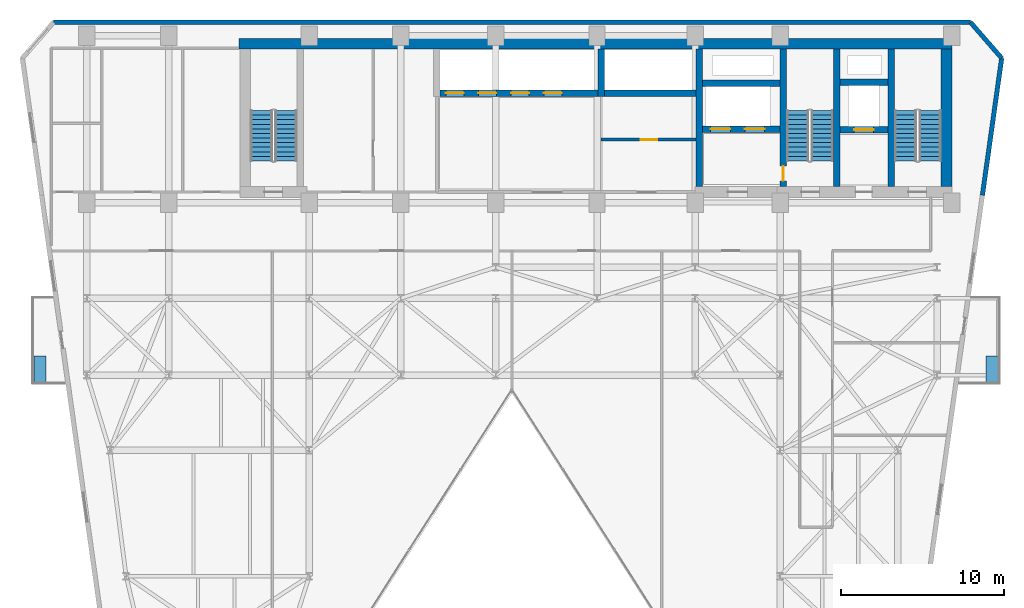
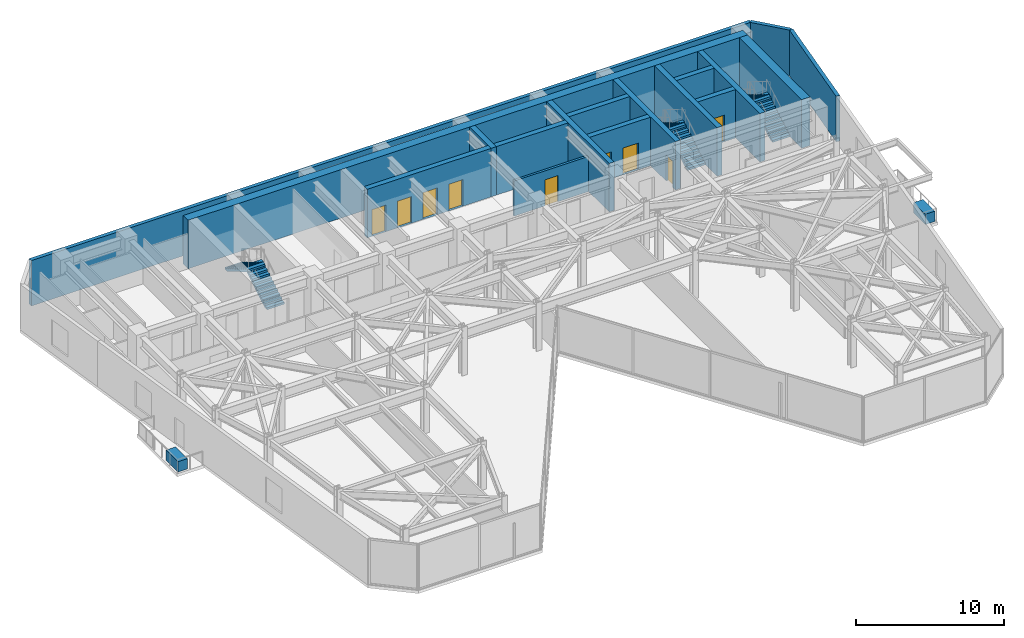
# One storey, part 17 of 20: 17 walls, 9 doors, 6 stair flights, 2 discrete accessories, 9 openings, 3 elements without a shape of their own.
"""IFC4 building model written with IfcOpenShell, lengths in metres."""

import ifcopenshell
import ifcopenshell.guid

model = None  # the IFC model being written
_history = None  # IfcOwnerHistory: only IFC2X3 demands one
_inside = {}  # id of a spatial element -> (the spatial element, [elements in it])
_under = {}  # id of a project, library or spatial element -> (it, [spatial elements below it])
_declared = {}  # id of a project -> (the project, [libraries it declares])
_typed = {}  # id of a type object -> (the type object, [elements of that type])
_made_of = {}  # id of a material, layer set ... -> (it, [elements and type objects made of it])


def new_model(schema):
    """Start an empty IFC model of exactly this schema.

    Asked for "IFC4X3", IfcOpenShell would pick the latest addendum, in which some entities
    have other attributes; the version numbers below select the first issue.
    IFC2X3 requires an IfcOwnerHistory on every rooted entity: one is made here for all.
    """
    global model, _history
    if schema == "IFC4X3":
        model = ifcopenshell.file(schema_version=(4, 3, 0, 0))
    else:
        model = ifcopenshell.file(schema=schema)
    _inside.clear()
    _under.clear()
    _declared.clear()
    _typed.clear()
    _made_of.clear()
    _history = None
    if model.schema == "IFC2X3":
        org = make("IfcOrganization", Name="unknown")
        user = make(
            "IfcPersonAndOrganization",
            ThePerson=make("IfcPerson", FamilyName="unknown"),
            TheOrganization=org,
        )
        app = make(
            "IfcApplication",
            ApplicationDeveloper=org,
            Version="unknown",
            ApplicationFullName="unknown",
            ApplicationIdentifier="unknown",
        )
        _history = make(
            "IfcOwnerHistory",
            OwningUser=user,
            OwningApplication=app,
            ChangeAction="ADDED",
            CreationDate=0,
        )
    return model


def make(cls, **values):
    """One entity of the class cls with the attributes given. An attribute that is None is left unset."""
    return model.create_entity(
        cls, **{name: value for name, value in values.items() if value is not None}
    )


def rooted(cls, **values):
    """An entity with a GlobalId (a new one), such as an element, a storey or a relation."""
    return make(cls, GlobalId=ifcopenshell.guid.new(), OwnerHistory=_history, **values)


def si_unit(unit_type, name, prefix=None):
    """IfcSIUnit, for example si_unit("LENGTHUNIT", "METRE", prefix="MILLI")."""
    return make("IfcSIUnit", UnitType=unit_type, Prefix=prefix, Name=name)


def assignment(units):
    """IfcUnitAssignment: the units of a project."""
    return None if units is None else make("IfcUnitAssignment", Units=units)


def point(xyz):
    """IfcCartesianPoint."""
    return None if xyz is None else make("IfcCartesianPoint", Coordinates=xyz)


def direction(xyz):
    """IfcDirection."""
    return None if xyz is None else make("IfcDirection", DirectionRatios=xyz)


def frame(location, z_axis=None, x_axis=None):
    """IfcAxis2Placement3D, a coordinate frame: its origin and axes. An axis left out is left unset."""
    return make(
        "IfcAxis2Placement3D",
        Location=point(location),
        Axis=direction(z_axis),
        RefDirection=direction(x_axis),
    )


def frame_2d(location, x_axis=None):
    """IfcAxis2Placement2D, a coordinate frame in the plane: its origin and x axis."""
    return make(
        "IfcAxis2Placement2D", Location=point(location), RefDirection=direction(x_axis)
    )


def origin():
    """The frame at (0, 0, 0) with its axes left unset."""
    return frame((0.0, 0.0, 0.0))


def origin_2d():
    """The frame at (0, 0) in the plane with its x axis left unset."""
    return frame_2d((0.0, 0.0))


def place(relative_to, where):
    """IfcLocalPlacement: puts the frame where relative to a parent placement (None: the world)."""
    return make(
        "IfcLocalPlacement", PlacementRelTo=relative_to, RelativePlacement=where
    )


def context(
    kind, dimensions, precision=None, world=None, true_north=None, identifier=None
):
    """IfcGeometricRepresentationContext, for example the 3D "Model" context."""
    return make(
        "IfcGeometricRepresentationContext",
        ContextIdentifier=identifier,
        ContextType=kind,
        CoordinateSpaceDimension=dimensions,
        Precision=precision,
        WorldCoordinateSystem=world,
        TrueNorth=true_north,
    )


def subcontext(parent, identifier, kind, view, scale=None):
    """IfcGeometricRepresentationSubContext, for example "Body" below "Model"."""
    return make(
        "IfcGeometricRepresentationSubContext",
        ContextIdentifier=identifier,
        ContextType=kind,
        ParentContext=parent,
        TargetScale=scale,
        TargetView=view,
    )


def project(units=None, contexts=None):
    """IfcProject with its units and contexts."""
    return rooted(
        "IfcProject",
        Name="project",
        RepresentationContexts=contexts,
        UnitsInContext=assignment(units),
    )


def spatial(cls, under=None, at=None, **own):
    """A site, building, storey or space (cls), placed at a placement, below another one or the project."""
    s = rooted(cls, ObjectPlacement=at, **own)
    if under is not None:
        _under.setdefault(under.id(), (under, []))[1].append(s)
    return s


def polyline(points):
    """IfcPolyline through the points."""
    return make("IfcPolyline", Points=[point(p) for p in points])


def profile(cls, at=None, kind="AREA", **sizes):
    """A parametric profile (cls). Its sizes go by their IFC names, for example OverallWidth=200.0."""
    return make(cls, ProfileType=kind, Position=at, **sizes)


def rectangle(**sizes):
    """IfcRectangleProfileDef."""
    return profile("IfcRectangleProfileDef", **sizes)


def outline(outer, holes=None, kind="AREA"):
    """IfcArbitraryClosedProfileDef: a profile drawn as a closed curve; with holes, ...WithVoids."""
    if holes is None:
        return make("IfcArbitraryClosedProfileDef", ProfileType=kind, OuterCurve=outer)
    return make(
        "IfcArbitraryProfileDefWithVoids",
        ProfileType=kind,
        OuterCurve=outer,
        InnerCurves=holes,
    )


def extrude(swept, where, along, depth):
    """IfcExtrudedAreaSolid: the profile swept, set in the frame where, extruded along a direction by depth."""
    return make(
        "IfcExtrudedAreaSolid",
        SweptArea=swept,
        Position=where,
        ExtrudedDirection=direction(along),
        Depth=depth,
    )


def shape(context_of_items, identifier, shape_type, items):
    """IfcShapeRepresentation: the items that make up one representation, for example the "Body"."""
    return make(
        "IfcShapeRepresentation",
        ContextOfItems=context_of_items,
        RepresentationIdentifier=identifier,
        RepresentationType=shape_type,
        Items=items,
    )


def material(Name=None, Category=None):
    """IfcMaterial."""
    return make("IfcMaterial", Name=Name, Category=Category)


def layer(
    of_material, thickness, ventilated=None, Name=None, Category=None, Priority=None
):
    """IfcMaterialLayer: one layer of a wall or slab, of a material (None: an air gap)."""
    return make(
        "IfcMaterialLayer",
        Material=of_material,
        LayerThickness=thickness,
        IsVentilated=ventilated,
        Name=Name,
        Category=Category,
        Priority=Priority,
    )


def layer_set(layers, Name=None):
    """IfcMaterialLayerSet."""
    return make("IfcMaterialLayerSet", MaterialLayers=layers, LayerSetName=Name)


def made_of(thing, what):
    """Note that an element or type object is made of a material, layer set ...; save() writes the relation."""
    if what is not None:
        _made_of.setdefault(what.id(), (what, []))[1].append(thing)
    return thing


def type_object(cls, material=None, **own):
    """A type object (cls), such as IfcWallType, which elements share."""
    return made_of(rooted(cls, **own), material)


def element(
    cls,
    number,
    at=None,
    inside=None,
    cuts=None,
    type_object=None,
    material=None,
    context=None,
    identifier="Body",
    shape_type=None,
    held_by="IfcProductDefinitionShape",
    body=None,
    shapes=None,
    **own,
):
    """One element of the class cls, such as IfcWall. Its Tag is "e" and its number.

    at: its placement. inside: the storey or other place that contains it. cuts: it is an
    opening in that element (IfcRelVoidsElement). A single representation is given by context,
    identifier, shape_type and body (its items); several are given by shapes. held_by: the class
    of the entity that holds the representations. save() writes the other relations.
    """
    e = rooted(cls, Tag="e%d" % number, ObjectPlacement=at, **own)
    if body is not None:
        shapes = [shape(context, identifier, shape_type, body)]
    if shapes is not None:
        e.Representation = make(held_by, Representations=shapes)
    if inside is not None:
        _inside.setdefault(inside.id(), (inside, []))[1].append(e)
    if cuts is not None:
        rooted(
            "IfcRelVoidsElement", RelatingBuildingElement=cuts, RelatedOpeningElement=e
        )
    if type_object is not None:
        _typed.setdefault(type_object.id(), (type_object, []))[1].append(e)
    return made_of(e, material)


def fill(opening, filler):
    """IfcRelFillsElement: the door or window that sits in an opening."""
    return rooted(
        "IfcRelFillsElement",
        RelatingOpeningElement=opening,
        RelatedBuildingElement=filler,
    )


def aggregate(whole, parts):
    """IfcRelAggregates: a whole, such as a stair, and the parts it consists of."""
    return rooted("IfcRelAggregates", RelatingObject=whole, RelatedObjects=parts)


def save(model, path):
    """Write the relations noted so far, then the file.

    IfcRelAggregates (storeys below a building ...), IfcRelContainedInSpatialStructure (elements
    in a storey), IfcRelDefinesByType, IfcRelAssociatesMaterial and IfcRelDeclares: one each for
    every whole, place, type object, material and project.
    """
    for whole, parts in _under.values():
        aggregate(whole, parts)
    for where, things in _inside.values():
        rooted(
            "IfcRelContainedInSpatialStructure",
            RelatedElements=things,
            RelatingStructure=where,
        )
    for kind, things in _typed.values():
        rooted("IfcRelDefinesByType", RelatedObjects=things, RelatingType=kind)
    for what, things in _made_of.values():
        rooted("IfcRelAssociatesMaterial", RelatedObjects=things, RelatingMaterial=what)
    for by, libraries in _declared.values():
        rooted("IfcRelDeclares", RelatingContext=by, RelatedDefinitions=libraries)
    model.write(path)


model = new_model("IFC4")

# Units and contexts
model_context = context("Model", 3, precision=1e-05, world=origin(), true_north=direction((0.0, 1.0)))
body_context = subcontext(model_context, "Body", "Model", "MODEL_VIEW")
ifc_project = project(units=[si_unit("LENGTHUNIT", "METRE"), si_unit("AREAUNIT", "SQUARE_METRE"), si_unit("VOLUMEUNIT", "CUBIC_METRE"), si_unit("PLANEANGLEUNIT", "RADIAN"), si_unit("MASSUNIT", "GRAM", prefix="KILO")], contexts=[model_context])

# Site, building, storey
site_placement = place(None, origin())
site = spatial("IfcSite", under=ifc_project, at=site_placement, CompositionType="ELEMENT")
building_placement = place(site_placement, origin())
building = spatial("IfcBuilding", under=site, at=building_placement, Name="Kravanh Interchange Tower", CompositionType="ELEMENT")
storey_placement = place(building_placement, frame((0.0, 0.0, 104.0)))
storey = spatial("IfcBuildingStorey", under=building, at=storey_placement, Name="L24", CompositionType="ELEMENT", Elevation=104.0)

# Walls
ifc_material_1 = material(Name="Concrete C70/85", Category="concrete")
ifc_layer_1 = layer(ifc_material_1, 0.64990234375)
ifc_layer_set_1 = layer_set([ifc_layer_1], Name="Core Shear Wall Concrete C70/85 650mm")
wall_type_1 = type_object("IfcWallType", Name="Core Shear Wall Concrete C70/85 650mm", PredefinedType="SHEAR", material=ifc_layer_set_1)
wall_1_placement = place(storey_placement, frame((22.89990234375, 47.074951171875, 0.0), z_axis=(0.0, 0.0, 1.0), x_axis=(1.0, 0.0, 0.0)))
element("IfcWall", 1, at=wall_1_placement, inside=storey, type_object=wall_type_1, Name="L24 North Core Shear Wall", PredefinedType="SHEAR", context=body_context, shape_type="SweptSolid", body=[
    extrude(rectangle(XDim=43.60009765625, YDim=0.64990234375, at=frame_2d((21.800048828125, 0.0))), origin(), (0.0, 0.0, 1.0), 4.0),
])
wall_2_placement = place(storey_placement, frame((66.175048828125, 38.324951171875, 0.0), z_axis=(0.0, 0.0, 1.0), x_axis=(0.0, 1.0, 0.0)))
element("IfcWall", 2, at=wall_2_placement, inside=storey, type_object=wall_type_1, Name="L24 Stair ST1 East Shear Wall", PredefinedType="SHEAR", context=body_context, shape_type="SweptSolid", body=[
    extrude(rectangle(XDim=8.425048828125, YDim=0.64990234375, at=frame_2d((4.21240234375, 0.0))), origin(), (0.0, 0.0, 1.0), 4.0),
])
ifc_material_2 = material(Name="Concrete C80/95", Category="concrete")
ifc_layer_2 = layer(ifc_material_2, 0.39990234375)
ifc_layer_set_2 = layer_set([ifc_layer_2], Name="Core Shear Wall Concrete C80/95 400mm")
wall_type_2 = type_object("IfcWallType", Name="Core Shear Wall Concrete C80/95 400mm", PredefinedType="SHEAR", material=ifc_layer_set_2)
for number, where, z_axis, x_axis, name in (
    (3, (62.800048828125, 38.324951171875, 0.0), (0.0, 0.0, 1.0), (0.0, 1.0, 0.0), "L24 Stair ST1 West Shear Wall"),
    (4, (59.449951171875, 38.324951171875, 0.0), (0.0, 0.0, 1.0), (0.0, 1.0, 0.0), "L24 Stair ST2 East Shear Wall"),
):
    element("IfcWall", number, at=place(storey_placement, frame(where, z_axis=z_axis, x_axis=x_axis)), inside=storey, type_object=wall_type_2, Name=name, PredefinedType="SHEAR", context=body_context, shape_type="SweptSolid", body=[
        extrude(rectangle(XDim=8.425048828125, YDim=0.39990234375, at=frame_2d((4.21240234375, 0.0))), origin(), (0.0, 0.0, 1.0), 4.0),
    ])

# Wall, opening, door
wall_3_placement = place(storey_placement, frame((56.199951171875, 38.324951171875, 0.0), z_axis=(0.0, 0.0, 1.0), x_axis=(0.0, 1.0, 0.0)))
wall_3 = element("IfcWall", 5, at=wall_3_placement, inside=storey, type_object=wall_type_2, Name="L24 Stair ST2 West Shear Wall", PredefinedType="SHEAR", context=body_context, shape_type="SweptSolid", body=[
    extrude(rectangle(XDim=8.425048828125, YDim=0.39990234375, at=frame_2d((4.21240234375, 0.0))), origin(), (0.0, 0.0, 1.0), 4.0),
])
opening_1_placement = place(wall_3_placement, frame((0.35498046875, 0.0, 0.0)))
opening_1 = element("IfcOpeningElement", 6, at=opening_1_placement, cuts=wall_3, Name="Opening D-STAIR-90", PredefinedType="OPENING", context=body_context, shape_type="SweptSolid", body=[
    extrude(rectangle(XDim=0.89990234375, YDim=2.14990234375, at=frame_2d((0.449951171875, 1.074951171875))), frame((0.0, 0.2099609375, 0.0), z_axis=(0.0, -1.0, 0.0), x_axis=(1.0, 0.0, 0.0)), (0.0, 0.0, 1.0), 0.419921875),
])
ifc_material_3 = material(Name="Structural Steel S355", Category="steel")
door_type_1 = type_object("IfcDoorType", Name="Fire-Rated Stair Lobby Door 900x2150", OperationType="NOTDEFINED", PredefinedType="DOOR", material=ifc_material_3)
door_1_placement = place(opening_1_placement, origin())
door_1 = element("IfcDoor", 7, at=door_1_placement, inside=storey, type_object=door_type_1, Name="L24 Firefighting Lobby to Stair ST2 Door", OperationType="SINGLE_SWING_LEFT", OverallHeight=2.14990234375, OverallWidth=0.89990234375, PredefinedType="DOOR", context=body_context, shape_type="SweptSolid", body=[
    extrude(rectangle(XDim=0.89990234375, YDim=2.14990234375, at=frame_2d((0.449951171875, 1.074951171875))), frame((0.0, 0.02490234375, 0.0), z_axis=(0.0, -1.0, 0.0), x_axis=(1.0, 0.0, 0.0)), (0.0, 0.0, 1.0), 0.050048828125),
])
fill(opening_1, door_1)

wall_4_placement = place(storey_placement, frame((59.64990234375, 41.800048828125, 0.0), z_axis=(0.0, 0.0, 1.0), x_axis=(1.0, 0.0, 0.0)))
wall_4 = element("IfcWall", 8, at=wall_4_placement, inside=storey, type_object=wall_type_2, Name="L24 Service Lift Shaft South Wall", PredefinedType="SHEAR", context=body_context, shape_type="SweptSolid", body=[
    extrude(rectangle(XDim=2.9501953125, YDim=0.39990234375, at=frame_2d((1.47509765625, 0.0))), origin(), (0.0, 0.0, 1.0), 4.0),
])
opening_2_placement = place(wall_4_placement, frame((0.8701171875, 0.0, 0.0)))
opening_2 = element("IfcOpeningElement", 9, at=opening_2_placement, cuts=wall_4, Name="Opening LD02", PredefinedType="OPENING", context=body_context, shape_type="SweptSolid", body=[
    extrude(rectangle(XDim=1.199951171875, YDim=2.199951171875, at=frame_2d((0.60009765625, 1.10009765625))), frame((0.0, 0.2099609375, 0.0), z_axis=(0.0, -1.0, 0.0), x_axis=(1.0, 0.0, 0.0)), (0.0, 0.0, 1.0), 0.419921875),
])
ifc_material_4 = material(Name="Stainless Steel 316", Category="steel")
door_type_2 = type_object("IfcDoorType", Name="Fire and Service Lift Sliding Landing Door 1200x2200", OperationType="DOUBLE_DOOR_SLIDING", PredefinedType="DOOR", material=ifc_material_4)
door_2_placement = place(opening_2_placement, origin())
door_2 = element("IfcDoor", 10, at=door_2_placement, inside=storey, type_object=door_type_2, Name="L24 Lift LS-01 Landing Door", OperationType="DOUBLE_DOOR_SLIDING", OverallHeight=2.199951171875, OverallWidth=1.199951171875, PredefinedType="DOOR", context=body_context, shape_type="SweptSolid", body=[
    extrude(rectangle(XDim=1.199951171875, YDim=2.199951171875, at=frame_2d((0.60009765625, 1.10009765625))), frame((0.0, 0.02490234375, 0.0), z_axis=(0.0, -1.0, 0.0), x_axis=(1.0, 0.0, 0.0)), (0.0, 0.0, 1.0), 0.050048828125),
])
fill(opening_2, door_2)

# Wall
wall_5_placement = place(storey_placement, frame((59.64990234375, 44.699951171875, 0.0), z_axis=(0.0, 0.0, 1.0), x_axis=(1.0, 0.0, 0.0)))
element("IfcWall", 11, at=wall_5_placement, inside=storey, type_object=wall_type_2, Name="L24 Service Lift Shaft North Wall", PredefinedType="SHEAR", context=body_context, shape_type="SweptSolid", body=[
    extrude(rectangle(XDim=2.9501953125, YDim=0.39990234375, at=frame_2d((1.47509765625, 0.0))), origin(), (0.0, 0.0, 1.0), 4.0),
])

# Wall, openings, doors
wall_6_placement = place(storey_placement, frame((51.25, 41.85009765625, 0.0), z_axis=(0.0, 0.0, 1.0), x_axis=(1.0, 0.0, 0.0)))
wall_6 = element("IfcWall", 12, at=wall_6_placement, inside=storey, type_object=wall_type_2, Name="L24 Fire Lift Shaft South Wall", PredefinedType="SHEAR", context=body_context, shape_type="SweptSolid", body=[
    extrude(rectangle(XDim=4.75, YDim=0.39990234375, at=frame_2d((2.375, 0.0))), origin(), (0.0, 0.0, 1.0), 4.0),
])
opening_3_placement = place(wall_6_placement, frame((0.5, 0.0, 0.0)))
opening_3 = element("IfcOpeningElement", 13, at=opening_3_placement, cuts=wall_6, Name="Opening LD02", PredefinedType="OPENING", context=body_context, shape_type="SweptSolid", body=[
    extrude(rectangle(XDim=1.199951171875, YDim=2.199951171875, at=frame_2d((0.60009765625, 1.10009765625))), frame((0.0, 0.2099609375, 0.0), z_axis=(0.0, -1.0, 0.0), x_axis=(1.0, 0.0, 0.0)), (0.0, 0.0, 1.0), 0.419921875),
])
opening_4_placement = place(wall_6_placement, frame((2.60009765625, 0.0, 0.0)))
opening_4 = element("IfcOpeningElement", 14, at=opening_4_placement, cuts=wall_6, Name="Opening LD02", PredefinedType="OPENING", context=body_context, shape_type="SweptSolid", body=[
    extrude(rectangle(XDim=1.199951171875, YDim=2.199951171875, at=frame_2d((0.60009765625, 1.10009765625))), frame((0.0, 0.2099609375, 0.0), z_axis=(0.0, -1.0, 0.0), x_axis=(1.0, 0.0, 0.0)), (0.0, 0.0, 1.0), 0.419921875),
])
door_3_placement = place(opening_3_placement, origin())
door_3 = element("IfcDoor", 15, at=door_3_placement, inside=storey, type_object=door_type_2, Name="L24 Lift FSAE-01 Landing Door", OperationType="DOUBLE_DOOR_SLIDING", OverallHeight=2.199951171875, OverallWidth=1.199951171875, PredefinedType="DOOR", context=body_context, shape_type="SweptSolid", body=[
    extrude(rectangle(XDim=1.199951171875, YDim=2.199951171875, at=frame_2d((0.60009765625, 1.10009765625))), frame((0.0, 0.02490234375, 0.0), z_axis=(0.0, -1.0, 0.0), x_axis=(1.0, 0.0, 0.0)), (0.0, 0.0, 1.0), 0.050048828125),
])
fill(opening_3, door_3)
door_4_placement = place(opening_4_placement, origin())
door_4 = element("IfcDoor", 16, at=door_4_placement, inside=storey, type_object=door_type_2, Name="L24 Lift FSAE-02 Landing Door", OperationType="DOUBLE_DOOR_SLIDING", OverallHeight=2.199951171875, OverallWidth=1.199951171875, PredefinedType="DOOR", context=body_context, shape_type="SweptSolid", body=[
    extrude(rectangle(XDim=1.199951171875, YDim=2.199951171875, at=frame_2d((0.60009765625, 1.10009765625))), frame((0.0, 0.02490234375, 0.0), z_axis=(0.0, -1.0, 0.0), x_axis=(1.0, 0.0, 0.0)), (0.0, 0.0, 1.0), 0.050048828125),
])
fill(opening_4, door_4)

# Walls
wall_7_placement = place(storey_placement, frame((51.25, 44.64990234375, 0.0), z_axis=(0.0, 0.0, 1.0), x_axis=(1.0, 0.0, 0.0)))
element("IfcWall", 17, at=wall_7_placement, inside=storey, type_object=wall_type_2, Name="L24 Fire Lift Shaft North Wall", PredefinedType="SHEAR", context=body_context, shape_type="SweptSolid", body=[
    extrude(rectangle(XDim=4.75, YDim=0.39990234375, at=frame_2d((2.375, 0.0))), origin(), (0.0, 0.0, 1.0), 4.0),
])
wall_8_placement = place(storey_placement, frame((51.050048828125, 38.324951171875, 0.0), z_axis=(0.0, 0.0, 1.0), x_axis=(0.0, 1.0, 0.0)))
element("IfcWall", 18, at=wall_8_placement, inside=storey, type_object=wall_type_2, Name="L24 Firefighting Lobby West Wall", PredefinedType="SHEAR", context=body_context, shape_type="SweptSolid", body=[
    extrude(rectangle(XDim=8.425048828125, YDim=0.39990234375, at=frame_2d((4.21240234375, 0.0))), origin(), (0.0, 0.0, 1.0), 4.0),
])
wall_9_placement = place(storey_placement, frame((45.25, 44.050048828125, 0.0), z_axis=(0.0, 0.0, 1.0), x_axis=(1.0, 0.0, 0.0)))
element("IfcWall", 19, at=wall_9_placement, inside=storey, type_object=wall_type_2, Name="L24 High-Rise Lift Shaft South Wall", PredefinedType="SHEAR", context=body_context, shape_type="SweptSolid", body=[
    extrude(rectangle(XDim=5.60009765625, YDim=0.39990234375, at=frame_2d((2.800048828125, 0.0))), origin(), (0.0, 0.0, 1.0), 4.0),
])
wall_10_placement = place(storey_placement, frame((45.050048828125, 43.85009765625, 0.0), z_axis=(0.0, 0.0, 1.0), x_axis=(0.0, 1.0, 0.0)))
element("IfcWall", 20, at=wall_10_placement, inside=storey, type_object=wall_type_2, Name="L24 High-Rise Lift Shaft West Wall", PredefinedType="SHEAR", context=body_context, shape_type="SweptSolid", body=[
    extrude(rectangle(XDim=2.89990234375, YDim=0.39990234375, at=frame_2d((1.449951171875, 0.0))), origin(), (0.0, 0.0, 1.0), 4.0),
])

# Wall, openings, doors
wall_11_placement = place(storey_placement, frame((35.199951171875, 44.050048828125, 0.0), z_axis=(0.0, 0.0, 1.0), x_axis=(1.0, 0.0, 0.0)))
wall_11 = element("IfcWall", 21, at=wall_11_placement, inside=storey, type_object=wall_type_2, Name="L24 Mid-Rise Lift Shaft South Wall", PredefinedType="SHEAR", context=body_context, shape_type="SweptSolid", body=[
    extrude(rectangle(XDim=9.650146484375, YDim=0.39990234375, at=frame_2d((4.8251953125, 0.0))), origin(), (0.0, 0.0, 1.0), 4.0),
])
opening_5_placement = place(wall_11_placement, frame((0.35009765625, 0.0, 0.0)))
opening_5 = element("IfcOpeningElement", 22, at=opening_5_placement, cuts=wall_11, Name="Opening LD01", PredefinedType="OPENING", context=body_context, shape_type="SweptSolid", body=[
    extrude(rectangle(XDim=1.10009765625, YDim=2.199951171875, at=frame_2d((0.550048828125, 1.10009765625))), frame((0.0, 0.2099609375, 0.0), z_axis=(0.0, -1.0, 0.0), x_axis=(1.0, 0.0, 0.0)), (0.0, 0.0, 1.0), 0.419921875),
])
opening_6_placement = place(wall_11_placement, frame((2.35009765625, 0.0, 0.0)))
opening_6 = element("IfcOpeningElement", 23, at=opening_6_placement, cuts=wall_11, Name="Opening LD01", PredefinedType="OPENING", context=body_context, shape_type="SweptSolid", body=[
    extrude(rectangle(XDim=1.10009765625, YDim=2.199951171875, at=frame_2d((0.550048828125, 1.10009765625))), frame((0.0, 0.2099609375, 0.0), z_axis=(0.0, -1.0, 0.0), x_axis=(1.0, 0.0, 0.0)), (0.0, 0.0, 1.0), 0.419921875),
])
opening_7_placement = place(wall_11_placement, frame((4.35009765625, 0.0, 0.0)))
opening_7 = element("IfcOpeningElement", 24, at=opening_7_placement, cuts=wall_11, Name="Opening LD01", PredefinedType="OPENING", context=body_context, shape_type="SweptSolid", body=[
    extrude(rectangle(XDim=1.10009765625, YDim=2.199951171875, at=frame_2d((0.550048828125, 1.10009765625))), frame((0.0, 0.2099609375, 0.0), z_axis=(0.0, -1.0, 0.0), x_axis=(1.0, 0.0, 0.0)), (0.0, 0.0, 1.0), 0.419921875),
])
opening_8_placement = place(wall_11_placement, frame((6.35009765625, 0.0, 0.0)))
opening_8 = element("IfcOpeningElement", 25, at=opening_8_placement, cuts=wall_11, Name="Opening LD01", PredefinedType="OPENING", context=body_context, shape_type="SweptSolid", body=[
    extrude(rectangle(XDim=1.10009765625, YDim=2.199951171875, at=frame_2d((0.550048828125, 1.10009765625))), frame((0.0, 0.2099609375, 0.0), z_axis=(0.0, -1.0, 0.0), x_axis=(1.0, 0.0, 0.0)), (0.0, 0.0, 1.0), 0.419921875),
])
ifc_material_5 = material(Name="Stainless Steel 304", Category="steel")
door_type_3 = type_object("IfcDoorType", Name="Passenger Lift Sliding Landing Door 1100x2200", OperationType="DOUBLE_DOOR_SLIDING", PredefinedType="DOOR", material=ifc_material_5)
door_5_placement = place(opening_5_placement, origin())
door_5 = element("IfcDoor", 26, at=door_5_placement, inside=storey, type_object=door_type_3, Name="L24 Lift LP-M1 Landing Door", OperationType="DOUBLE_DOOR_SLIDING", OverallHeight=2.199951171875, OverallWidth=1.10009765625, PredefinedType="DOOR", context=body_context, shape_type="SweptSolid", body=[
    extrude(rectangle(XDim=1.10009765625, YDim=2.199951171875, at=frame_2d((0.550048828125, 1.10009765625))), frame((0.0, 0.02490234375, 0.0), z_axis=(0.0, -1.0, 0.0), x_axis=(1.0, 0.0, 0.0)), (0.0, 0.0, 1.0), 0.050048828125),
])
fill(opening_5, door_5)
door_6_placement = place(opening_6_placement, origin())
door_6 = element("IfcDoor", 27, at=door_6_placement, inside=storey, type_object=door_type_3, Name="L24 Lift LP-M2 Landing Door", OperationType="DOUBLE_DOOR_SLIDING", OverallHeight=2.199951171875, OverallWidth=1.10009765625, PredefinedType="DOOR", context=body_context, shape_type="SweptSolid", body=[
    extrude(rectangle(XDim=1.10009765625, YDim=2.199951171875, at=frame_2d((0.550048828125, 1.10009765625))), frame((0.0, 0.02490234375, 0.0), z_axis=(0.0, -1.0, 0.0), x_axis=(1.0, 0.0, 0.0)), (0.0, 0.0, 1.0), 0.050048828125),
])
fill(opening_6, door_6)
door_7_placement = place(opening_7_placement, origin())
door_7 = element("IfcDoor", 28, at=door_7_placement, inside=storey, type_object=door_type_3, Name="L24 Lift LP-M3 Landing Door", OperationType="DOUBLE_DOOR_SLIDING", OverallHeight=2.199951171875, OverallWidth=1.10009765625, PredefinedType="DOOR", context=body_context, shape_type="SweptSolid", body=[
    extrude(rectangle(XDim=1.10009765625, YDim=2.199951171875, at=frame_2d((0.550048828125, 1.10009765625))), frame((0.0, 0.02490234375, 0.0), z_axis=(0.0, -1.0, 0.0), x_axis=(1.0, 0.0, 0.0)), (0.0, 0.0, 1.0), 0.050048828125),
])
fill(opening_7, door_7)
door_8_placement = place(opening_8_placement, origin())
door_8 = element("IfcDoor", 29, at=door_8_placement, inside=storey, type_object=door_type_3, Name="L24 Lift LP-M4 Landing Door", OperationType="DOUBLE_DOOR_SLIDING", OverallHeight=2.199951171875, OverallWidth=1.10009765625, PredefinedType="DOOR", context=body_context, shape_type="SweptSolid", body=[
    extrude(rectangle(XDim=1.10009765625, YDim=2.199951171875, at=frame_2d((0.550048828125, 1.10009765625))), frame((0.0, 0.02490234375, 0.0), z_axis=(0.0, -1.0, 0.0), x_axis=(1.0, 0.0, 0.0)), (0.0, 0.0, 1.0), 0.050048828125),
])
fill(opening_8, door_8)

# Walls
ifc_material_6 = material(Name="Insulated Precast Concrete C40/50 with Bronze Cladding", Category="concrete")
ifc_layer_3 = layer(ifc_material_6, 0.280029296875)
ifc_layer_set_3 = layer_set([ifc_layer_3], Name="Exterior Insulated Concrete C40/50 Bronze Spandrel Wall 280mm")
wall_type_3 = type_object("IfcWallType", Name="Exterior Insulated Concrete C40/50 Bronze Spandrel Wall 280mm", PredefinedType="STANDARD", material=ifc_layer_set_3)
wall_12_placement = place(storey_placement, frame((11.5546875, 48.3798828125, 0.0), z_axis=(0.0, 0.0, 1.0), x_axis=(1.0, 0.0, 0.0)))
element("IfcWall", 30, at=wall_12_placement, inside=storey, type_object=wall_type_3, Name="L24 Exterior Wall 4", PredefinedType="STANDARD", context=body_context, shape_type="SweptSolid", body=[
    extrude(rectangle(XDim=56.090576171875, YDim=0.280029296875, at=frame_2d((28.04541015625, 0.0))), origin(), (0.0, 0.0, 1.0), 3.75),
])
wall_13_placement = place(storey_placement, frame((67.645263671875, 48.3798828125, 0.0), z_axis=(0.0, 0.0, 1.0), x_axis=(0.656070644076, -0.754699483226, 0.0)))
element("IfcWall", 31, at=wall_13_placement, inside=storey, type_object=wall_type_3, Name="L24 Exterior Wall 5", PredefinedType="STANDARD", context=body_context, shape_type="SweptSolid", body=[
    extrude(rectangle(XDim=2.908447265625, YDim=0.280029296875, at=frame_2d((1.4541015625, 0.0))), origin(), (0.0, 0.0, 1.0), 3.75),
])
wall_14_placement = place(storey_placement, frame((69.553466796875, 46.184814453125, 0.0), z_axis=(0.0, 0.0, 1.0), x_axis=(-0.139180610108, -0.990267013371, 0.0)))
element("IfcWall", 32, at=wall_14_placement, inside=storey, type_object=wall_type_3, Name="L24 Exterior Wall 6", PredefinedType="STANDARD", context=body_context, shape_type="SweptSolid", body=[
    extrude(rectangle(XDim=8.46728515625, YDim=0.280029296875, at=frame_2d((4.233642578125, 0.0))), origin(), (0.0, 0.0, 1.0), 3.75),
])

# Wall, opening, door
ifc_material_7 = material(Name="Autoclaved Aerated Concrete C30/37 Blockwork", Category="masonry")
ifc_layer_4 = layer(ifc_material_7, 0.179931640625)
ifc_layer_set_4 = layer_set([ifc_layer_4], Name="Fire-Rated Lobby and Corridor Wall Concrete C30/37 180mm")
wall_type_4 = type_object("IfcWallType", Name="Fire-Rated Lobby and Corridor Wall Concrete C30/37 180mm", PredefinedType="STANDARD", material=ifc_layer_set_4)
wall_15_placement = place(storey_placement, frame((45.050048828125, 41.199951171875, 0.0), z_axis=(0.0, 0.0, 1.0), x_axis=(1.0, 0.0, 0.0)))
wall_15 = element("IfcWall", 33, at=wall_15_placement, inside=storey, type_object=wall_type_4, Name="L24 Interior Partition 2", PredefinedType="STANDARD", context=body_context, shape_type="SweptSolid", body=[
    extrude(rectangle(XDim=5.7919921875, YDim=0.179931640625, at=frame_2d((2.89599609375, 0.0))), origin(), (0.0, 0.0, 1.0), 2.89404296875),
])
opening_9_placement = place(wall_15_placement, frame((2.425048828125, 0.0, 0.0)))
opening_9 = element("IfcOpeningElement", 34, at=opening_9_placement, cuts=wall_15, Name="Opening D-HOTEL-100", PredefinedType="OPENING", context=body_context, shape_type="SweptSolid", body=[
    extrude(rectangle(XDim=1.0, YDim=2.14990234375, at=frame_2d((0.5, 1.074951171875))), frame((0.0, 0.10009765625, 0.0), z_axis=(0.0, -1.0, 0.0), x_axis=(1.0, 0.0, 0.0)), (0.0, 0.0, 1.0), 0.199951171875),
])
ifc_material_8 = material(Name="Fire-Rated Solid Timber Leaf", Category="wood")
door_type_4 = type_object("IfcDoorType", Name="Fire-Rated Suite Entrance Door 1000x2150", OperationType="NOTDEFINED", PredefinedType="DOOR", material=ifc_material_8)
door_9_placement = place(opening_9_placement, origin())
door_9 = element("IfcDoor", 35, at=door_9_placement, inside=storey, type_object=door_type_4, Name="L24 Core Telecom Inner Door", OperationType="SINGLE_SWING_RIGHT", OverallHeight=2.14990234375, OverallWidth=1.0, PredefinedType="DOOR", context=body_context, shape_type="SweptSolid", body=[
    extrude(rectangle(XDim=1.0, YDim=2.14990234375, at=frame_2d((0.5, 1.074951171875))), frame((0.0, 0.02490234375, 0.0), z_axis=(0.0, -1.0, 0.0), x_axis=(1.0, 0.0, 0.0)), (0.0, 0.0, 1.0), 0.050048828125),
])
fill(opening_9, door_9)

# Stair, stair flights
ifc_material_9 = material(Name="Concrete C50/60", Category="concrete")
stair_type = type_object("IfcStairType", Name="Core Fire Exit Dogleg Stair Concrete C50/60", PredefinedType="HALF_TURN_STAIR", material=ifc_material_9)
stair_1_placement = place(storey_placement, origin())
stair_1 = element("IfcStair", 36, at=stair_1_placement, inside=storey, type_object=stair_type, Name="L24 Exit Stair ST1", PredefinedType="HALF_TURN_STAIR")
ifc_material_10 = material(Name="Precast Concrete C50/60", Category="concrete")
ifc_layer_5 = layer(ifc_material_10, 0.199951171875)
ifc_layer_set_5 = layer_set([ifc_layer_5], Name="Precast Concrete C50/60 Stair Flight 1350mm")
stair_flight_type = type_object("IfcStairFlightType", Name="Precast Concrete C50/60 Stair Flight 1350mm", PredefinedType="STRAIGHT", material=ifc_layer_set_5)
stair_flight_1_placement = place(storey_placement, frame((65.175048828125, 39.89990234375, 0.0), z_axis=(0.0, 0.0, 1.0), x_axis=(0.0, 1.0, 0.0)))
stair_flight_1 = element("IfcStairFlight", 37, at=stair_flight_1_placement, type_object=stair_flight_type, Name="ST1 flight 1", NumberOfRisers=12, NumberOfTreads=11, PredefinedType="STRAIGHT", RiserHeight=0.166666667, TreadLength=0.28, context=body_context, shape_type="SweptSolid", body=[
    extrude(outline(polyline([(0.0, 0.0), (0.0, 0.166748046875), (0.280029296875, 0.166748046875), (0.280029296875, 0.333251953125), (0.56005859375, 0.333251953125), (0.56005859375, 0.5), (0.840087890625, 0.5), (0.840087890625, 0.666748046875), (1.1201171875, 0.666748046875), (1.1201171875, 0.833251953125), (1.39990234375, 0.833251953125), (1.39990234375, 1.0), (1.679931640625, 1.0), (1.679931640625, 1.166748046875), (1.9599609375, 1.166748046875), (1.9599609375, 1.333251953125), (2.239990234375, 1.333251953125), (2.239990234375, 1.5), (2.52001953125, 1.5), (2.52001953125, 1.666748046875), (2.800048828125, 1.666748046875), (2.800048828125, 1.833251953125), (3.080078125, 1.833251953125), (3.080078125, 2.0), (3.080078125, 1.658935546875), (0.29296875, 0.0), (0.0, 0.0)])), frame((0.0, 0.675048828125, 0.0), z_axis=(0.0, -1.0, 0.0), x_axis=(1.0, 0.0, 0.0)), (0.0, 0.0, 1.0), 1.35009765625),
])
stair_flight_2_placement = place(storey_placement, frame((63.675048828125, 42.97998046875, 2.0), z_axis=(0.0, 0.0, 1.0), x_axis=(0.0, -1.0, 0.0)))
stair_flight_2 = element("IfcStairFlight", 38, at=stair_flight_2_placement, type_object=stair_flight_type, Name="ST1 flight 2", NumberOfRisers=12, NumberOfTreads=11, PredefinedType="STRAIGHT", RiserHeight=0.166666667, TreadLength=0.28, context=body_context, shape_type="SweptSolid", body=[
    extrude(outline(polyline([(0.0, 0.0), (0.0, 0.166748046875), (0.280029296875, 0.166748046875), (0.280029296875, 0.333251953125), (0.56005859375, 0.333251953125), (0.56005859375, 0.5), (0.840087890625, 0.5), (0.840087890625, 0.666748046875), (1.1201171875, 0.666748046875), (1.1201171875, 0.833251953125), (1.39990234375, 0.833251953125), (1.39990234375, 1.0), (1.679931640625, 1.0), (1.679931640625, 1.166748046875), (1.9599609375, 1.166748046875), (1.9599609375, 1.333251953125), (2.239990234375, 1.333251953125), (2.239990234375, 1.5), (2.52001953125, 1.5), (2.52001953125, 1.666748046875), (2.800048828125, 1.666748046875), (2.800048828125, 1.833251953125), (3.080078125, 1.833251953125), (3.080078125, 2.0), (3.080078125, 1.658935546875), (0.29296875, 0.0), (0.0, 0.0)])), frame((0.0, 0.675048828125, 0.0), z_axis=(0.0, -1.0, 0.0), x_axis=(1.0, 0.0, 0.0)), (0.0, 0.0, 1.0), 1.35009765625),
])
aggregate(stair_1, [stair_flight_1, stair_flight_2])

stair_2_placement = place(storey_placement, origin())
stair_2 = element("IfcStair", 39, at=stair_2_placement, inside=storey, type_object=stair_type, Name="L24 Exit Stair ST2", PredefinedType="HALF_TURN_STAIR")
stair_flight_3_placement = place(storey_placement, frame((58.574951171875, 39.89990234375, 0.0), z_axis=(0.0, 0.0, 1.0), x_axis=(0.0, 1.0, 0.0)))
stair_flight_3 = element("IfcStairFlight", 40, at=stair_flight_3_placement, type_object=stair_flight_type, Name="ST2 flight 1", NumberOfRisers=12, NumberOfTreads=11, PredefinedType="STRAIGHT", RiserHeight=0.166666667, TreadLength=0.28, context=body_context, shape_type="SweptSolid", body=[
    extrude(outline(polyline([(0.0, 0.0), (0.0, 0.166748046875), (0.280029296875, 0.166748046875), (0.280029296875, 0.333251953125), (0.56005859375, 0.333251953125), (0.56005859375, 0.5), (0.840087890625, 0.5), (0.840087890625, 0.666748046875), (1.1201171875, 0.666748046875), (1.1201171875, 0.833251953125), (1.39990234375, 0.833251953125), (1.39990234375, 1.0), (1.679931640625, 1.0), (1.679931640625, 1.166748046875), (1.9599609375, 1.166748046875), (1.9599609375, 1.333251953125), (2.239990234375, 1.333251953125), (2.239990234375, 1.5), (2.52001953125, 1.5), (2.52001953125, 1.666748046875), (2.800048828125, 1.666748046875), (2.800048828125, 1.833251953125), (3.080078125, 1.833251953125), (3.080078125, 2.0), (3.080078125, 1.658935546875), (0.29296875, 0.0), (0.0, 0.0)])), frame((0.0, 0.675048828125, 0.0), z_axis=(0.0, -1.0, 0.0), x_axis=(1.0, 0.0, 0.0)), (0.0, 0.0, 1.0), 1.35009765625),
])
stair_flight_4_placement = place(storey_placement, frame((57.074951171875, 42.97998046875, 2.0), z_axis=(0.0, 0.0, 1.0), x_axis=(0.0, -1.0, 0.0)))
stair_flight_4 = element("IfcStairFlight", 41, at=stair_flight_4_placement, type_object=stair_flight_type, Name="ST2 flight 2", NumberOfRisers=12, NumberOfTreads=11, PredefinedType="STRAIGHT", RiserHeight=0.166666667, TreadLength=0.28, context=body_context, shape_type="SweptSolid", body=[
    extrude(outline(polyline([(0.0, 0.0), (0.0, 0.166748046875), (0.280029296875, 0.166748046875), (0.280029296875, 0.333251953125), (0.56005859375, 0.333251953125), (0.56005859375, 0.5), (0.840087890625, 0.5), (0.840087890625, 0.666748046875), (1.1201171875, 0.666748046875), (1.1201171875, 0.833251953125), (1.39990234375, 0.833251953125), (1.39990234375, 1.0), (1.679931640625, 1.0), (1.679931640625, 1.166748046875), (1.9599609375, 1.166748046875), (1.9599609375, 1.333251953125), (2.239990234375, 1.333251953125), (2.239990234375, 1.5), (2.52001953125, 1.5), (2.52001953125, 1.666748046875), (2.800048828125, 1.666748046875), (2.800048828125, 1.833251953125), (3.080078125, 1.833251953125), (3.080078125, 2.0), (3.080078125, 1.658935546875), (0.29296875, 0.0), (0.0, 0.0)])), frame((0.0, 0.675048828125, 0.0), z_axis=(0.0, -1.0, 0.0), x_axis=(1.0, 0.0, 0.0)), (0.0, 0.0, 1.0), 1.35009765625),
])
aggregate(stair_2, [stair_flight_3, stair_flight_4])

stair_3_placement = place(storey_placement, origin())
stair_3 = element("IfcStair", 42, at=stair_3_placement, inside=storey, type_object=stair_type, Name="L24 Exit Stair ST3", PredefinedType="HALF_TURN_STAIR")
stair_flight_5_placement = place(storey_placement, frame((25.77490234375, 39.89990234375, 0.0), z_axis=(0.0, 0.0, 1.0), x_axis=(0.0, 1.0, 0.0)))
stair_flight_5 = element("IfcStairFlight", 43, at=stair_flight_5_placement, type_object=stair_flight_type, Name="ST3 flight 1", NumberOfRisers=12, NumberOfTreads=11, PredefinedType="STRAIGHT", RiserHeight=0.166666667, TreadLength=0.28, context=body_context, shape_type="SweptSolid", body=[
    extrude(outline(polyline([(0.0, 0.0), (0.0, 0.166748046875), (0.280029296875, 0.166748046875), (0.280029296875, 0.333251953125), (0.56005859375, 0.333251953125), (0.56005859375, 0.5), (0.840087890625, 0.5), (0.840087890625, 0.666748046875), (1.1201171875, 0.666748046875), (1.1201171875, 0.833251953125), (1.39990234375, 0.833251953125), (1.39990234375, 1.0), (1.679931640625, 1.0), (1.679931640625, 1.166748046875), (1.9599609375, 1.166748046875), (1.9599609375, 1.333251953125), (2.239990234375, 1.333251953125), (2.239990234375, 1.5), (2.52001953125, 1.5), (2.52001953125, 1.666748046875), (2.800048828125, 1.666748046875), (2.800048828125, 1.833251953125), (3.080078125, 1.833251953125), (3.080078125, 2.0), (3.080078125, 1.658935546875), (0.29296875, 0.0), (0.0, 0.0)])), frame((0.0, 0.675048828125, 0.0), z_axis=(0.0, -1.0, 0.0), x_axis=(1.0, 0.0, 0.0)), (0.0, 0.0, 1.0), 1.35009765625),
])
stair_flight_6_placement = place(storey_placement, frame((24.27490234375, 42.97998046875, 2.0), z_axis=(0.0, 0.0, 1.0), x_axis=(0.0, -1.0, 0.0)))
stair_flight_6 = element("IfcStairFlight", 44, at=stair_flight_6_placement, type_object=stair_flight_type, Name="ST3 flight 2", NumberOfRisers=12, NumberOfTreads=11, PredefinedType="STRAIGHT", RiserHeight=0.166666667, TreadLength=0.28, context=body_context, shape_type="SweptSolid", body=[
    extrude(outline(polyline([(0.0, 0.0), (0.0, 0.166748046875), (0.280029296875, 0.166748046875), (0.280029296875, 0.333251953125), (0.56005859375, 0.333251953125), (0.56005859375, 0.5), (0.840087890625, 0.5), (0.840087890625, 0.666748046875), (1.1201171875, 0.666748046875), (1.1201171875, 0.833251953125), (1.39990234375, 0.833251953125), (1.39990234375, 1.0), (1.679931640625, 1.0), (1.679931640625, 1.166748046875), (1.9599609375, 1.166748046875), (1.9599609375, 1.333251953125), (2.239990234375, 1.333251953125), (2.239990234375, 1.5), (2.52001953125, 1.5), (2.52001953125, 1.666748046875), (2.800048828125, 1.666748046875), (2.800048828125, 1.833251953125), (3.080078125, 1.833251953125), (3.080078125, 2.0), (3.080078125, 1.658935546875), (0.29296875, 0.0), (0.0, 0.0)])), frame((0.0, 0.675048828125, 0.0), z_axis=(0.0, -1.0, 0.0), x_axis=(1.0, 0.0, 0.0)), (0.0, 0.0, 1.0), 1.35009765625),
])
aggregate(stair_3, [stair_flight_5, stair_flight_6])

# Discrete accessories
ifc_material_11 = material(Name="Architectural GRC Concrete C40/50 with Root Barrier", Category="concrete")
discrete_accessory_type = type_object("IfcDiscreteAccessoryType", Name="Structural Balcony Tree Planter Box Concrete C40/50 1600x750x850", PredefinedType="USERDEFINED", material=ifc_material_11)
for number, where, z_axis, x_axis, name in (
    (45, (68.958984375, 27.179931640625, 0.0), (0.0, 0.0, 1.0), (1.0, 0.0, 0.0), "L24 E Balcony TREE PLANTER"),
    (46, (10.72998046875, 27.179931640625, 0.0), (0.0, 0.0, 1.0), (1.0, 0.0, 0.0), "L24 W Balcony TREE PLANTER"),
):
    element("IfcDiscreteAccessory", number, at=place(storey_placement, frame(where, z_axis=z_axis, x_axis=x_axis)), inside=storey, type_object=discrete_accessory_type, Name=name, ObjectType="PLANTER", PredefinedType="USERDEFINED", context=body_context, shape_type="SweptSolid", body=[
        extrude(rectangle(XDim=0.75, YDim=1.60009765625, at=origin_2d()), origin(), (0.0, 0.0, 1.0), 0.85009765625),
    ])

save(model, "model.ifc")
